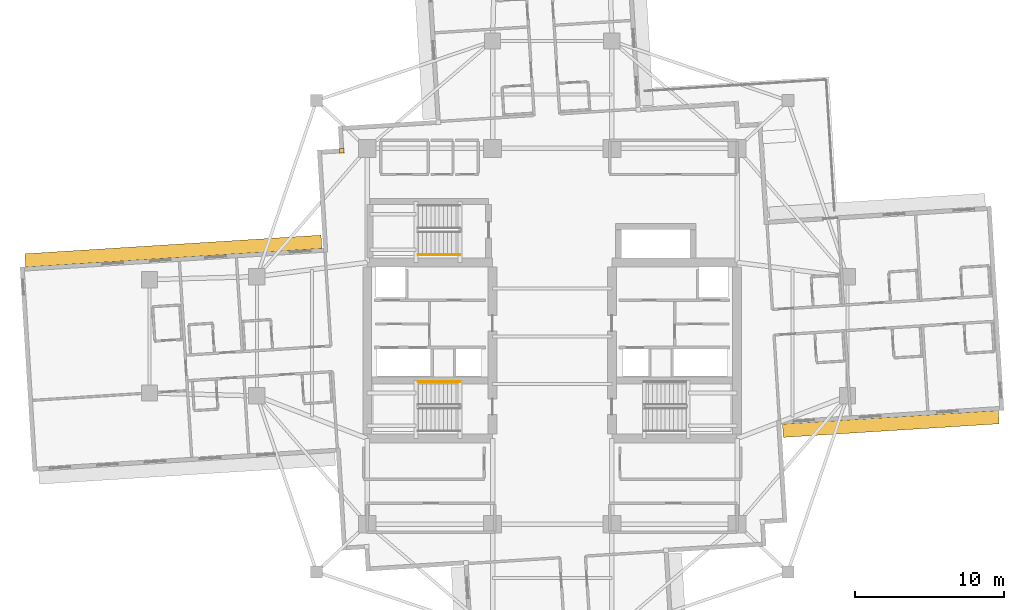
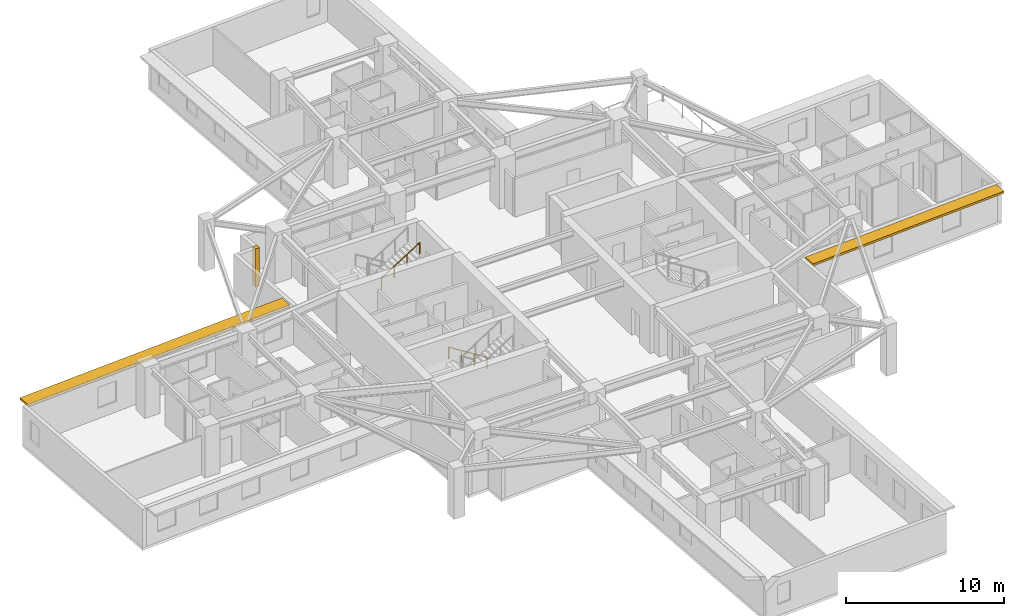
# One storey, part 12 of 14: 2 railings, 2 shading devices, 1 covering.
"""IFC4 building model written with IfcOpenShell, lengths in metres."""

from ifc_helpers import new_model, si_unit, direction, frame, origin, origin_2d, place, context, subcontext, project, spatial, rectangle, circle, extrude, material, layer, layer_set, type_object, element, save


model = new_model("IFC4")

# Units and contexts
model_context = context("Model", 3, precision=1e-05, world=origin(), true_north=direction((0.0, 1.0)))
body_context = subcontext(model_context, "Body", "Model", "MODEL_VIEW")
ifc_project = project(units=[si_unit("LENGTHUNIT", "METRE"), si_unit("AREAUNIT", "SQUARE_METRE"), si_unit("VOLUMEUNIT", "CUBIC_METRE"), si_unit("PLANEANGLEUNIT", "RADIAN"), si_unit("MASSUNIT", "GRAM", prefix="KILO")], contexts=[model_context])

# Site, building, storey
site_placement = place(None, origin())
site = spatial("IfcSite", under=ifc_project, at=site_placement, CompositionType="ELEMENT")
building_placement = place(site_placement, origin())
building = spatial("IfcBuilding", under=site, at=building_placement, Name="Qingluan Cross Belvedere", CompositionType="ELEMENT")
storey_placement = place(building_placement, frame((0.0, 0.0, 128.10009765625)))
storey = spatial("IfcBuildingStorey", under=building, at=storey_placement, Name="L32", CompositionType="ELEMENT", Elevation=128.10009765625)

# Covering
ifc_material_1 = material(Name="Precast concrete C45", Category="concrete")
ifc_layer_1 = layer(ifc_material_1, 0.1201171875, Name="ConcreteSpandrelCladding_120")
ifc_layer_set_1 = layer_set([ifc_layer_1], Name="Precast concrete C45")
covering_type = type_object("IfcCoveringType", Name="ConcreteSpandrelCladding_120", PredefinedType="CLADDING", material=ifc_layer_set_1)
covering_placement = place(storey_placement, frame((-14.10888671875, 12.438720703125, 0.0), z_axis=(0.0, 0.0, 1.0), x_axis=(0.998026728428, 0.062790519529, 0.0)))
element("IfcCovering", 1, at=covering_placement, inside=storey, type_object=covering_type, Name="Corner closure L32-NW1", PredefinedType="CLADDING", context=body_context, shape_type="SweptSolid", body=[
    extrude(rectangle(XDim=0.320068359375, YDim=0.320068359375, at=origin_2d()), origin(), (0.0, 0.0, 1.0), 2.969970703125),
])

# Shading devices
ifc_material_2 = material(Name="Precast concrete C45", Category="concrete")
ifc_layer_2 = layer(ifc_material_2, 0.159912109375, Name="ConcreteSunshadeBand_900")
ifc_layer_set_2 = layer_set([ifc_layer_2], Name="Precast concrete C45")
shading_device_type = type_object("IfcShadingDeviceType", Name="ConcreteSunshadeBand_900", PredefinedType="USERDEFINED", material=ifc_layer_set_2)
shading_device_1_placement = place(storey_placement, frame((22.703857421875, -5.8759765625, 2.7900390625), z_axis=(0.0, 0.0, 1.0), x_axis=(0.998026818306, 0.062789090939, 0.0)))
element("IfcShadingDevice", 2, at=shading_device_1_placement, inside=storey, type_object=shading_device_type, Name="Concrete SUNSHADE L32-EA", ObjectType="SUNSHADE", PredefinedType="USERDEFINED", context=body_context, shape_type="SweptSolid", body=[
    extrude(rectangle(XDim=14.5, YDim=0.89990234375, at=origin_2d()), origin(), (0.0, 0.0, 1.0), 0.159912109375),
])
shading_device_2_placement = place(storey_placement, frame((-25.3984375, 5.70654296875, 2.7900390625), z_axis=(0.0, 0.0, 1.0), x_axis=(-0.998026999973, -0.062786203294, 0.0)))
element("IfcShadingDevice", 3, at=shading_device_2_placement, inside=storey, type_object=shading_device_type, Name="Concrete SUNSHADE L32-WA", ObjectType="SUNSHADE", PredefinedType="USERDEFINED", context=body_context, shape_type="SweptSolid", body=[
    extrude(rectangle(XDim=19.89990234375, YDim=0.89990234375, at=origin_2d()), origin(), (0.0, 0.0, 1.0), 0.159912109375),
])

# Railings
ifc_material_3 = material(Name="Brushed stainless steel tubular handrail", Category="steel")
railing_type = type_object("IfcRailingType", Name="StairPitchHandrail_900", PredefinedType="HANDRAIL", material=ifc_material_3)
railing_1_placement = place(storey_placement, frame((-6.179931640625, -3.050048828125, 0.17724609375)))
element("IfcRailing", 4, at=railing_1_placement, inside=storey, type_object=railing_type, Name="L32 ST1 stair handrail 1", PredefinedType="HANDRAIL", context=body_context, shape_type="SweptSolid", body=[
    extrude(circle(Radius=0.02392578125, at=origin_2d()), frame((0.0, 0.0, 0.8759765625), z_axis=(-0.844908973607, 0.0, 0.534910110503), x_axis=(0.0, -1.0, 0.0)), (0.0, 0.0, 1.0), 3.31396484375),
    extrude(circle(Radius=0.02099609375, at=origin_2d()), origin(), (0.0, 0.0, 1.0), 0.851806640625),
    extrude(circle(Radius=0.02099609375, at=origin_2d()), frame((-0.933349609375, 0.0, 0.5908203125)), (0.0, 0.0, 1.0), 0.851806640625),
    extrude(circle(Radius=0.02099609375, at=origin_2d()), frame((-1.86669921875, 0.0, 1.181884765625)), (0.0, 0.0, 1.0), 0.851806640625),
    extrude(circle(Radius=0.02099609375, at=origin_2d()), frame((-2.800048828125, 0.0, 1.772705078125)), (0.0, 0.0, 1.0), 0.851806640625),
])
railing_2_placement = place(storey_placement, frame((-8.97998046875, 5.469970703125, 2.127197265625)))
element("IfcRailing", 5, at=railing_2_placement, inside=storey, type_object=railing_type, Name="L32 ST3 stair handrail 2", PredefinedType="HANDRAIL", context=body_context, shape_type="SweptSolid", body=[
    extrude(circle(Radius=0.02392578125, at=origin_2d()), frame((0.0, 0.0, 0.8759765625), z_axis=(0.844908973607, 0.0, 0.534910110503), x_axis=(0.0, 1.0, 0.0)), (0.0, 0.0, 1.0), 3.31396484375),
    extrude(circle(Radius=0.02099609375, at=origin_2d()), origin(), (0.0, 0.0, 1.0), 0.851806640625),
    extrude(circle(Radius=0.02099609375, at=origin_2d()), frame((0.933349609375, 0.0, 0.5908203125)), (0.0, 0.0, 1.0), 0.851806640625),
    extrude(circle(Radius=0.02099609375, at=origin_2d()), frame((1.86669921875, 0.0, 1.181884765625)), (0.0, 0.0, 1.0), 0.851806640625),
    extrude(circle(Radius=0.02099609375, at=origin_2d()), frame((2.800048828125, 0.0, 1.772705078125)), (0.0, 0.0, 1.0), 0.851806640625),
])

save(model, "model.ifc")
